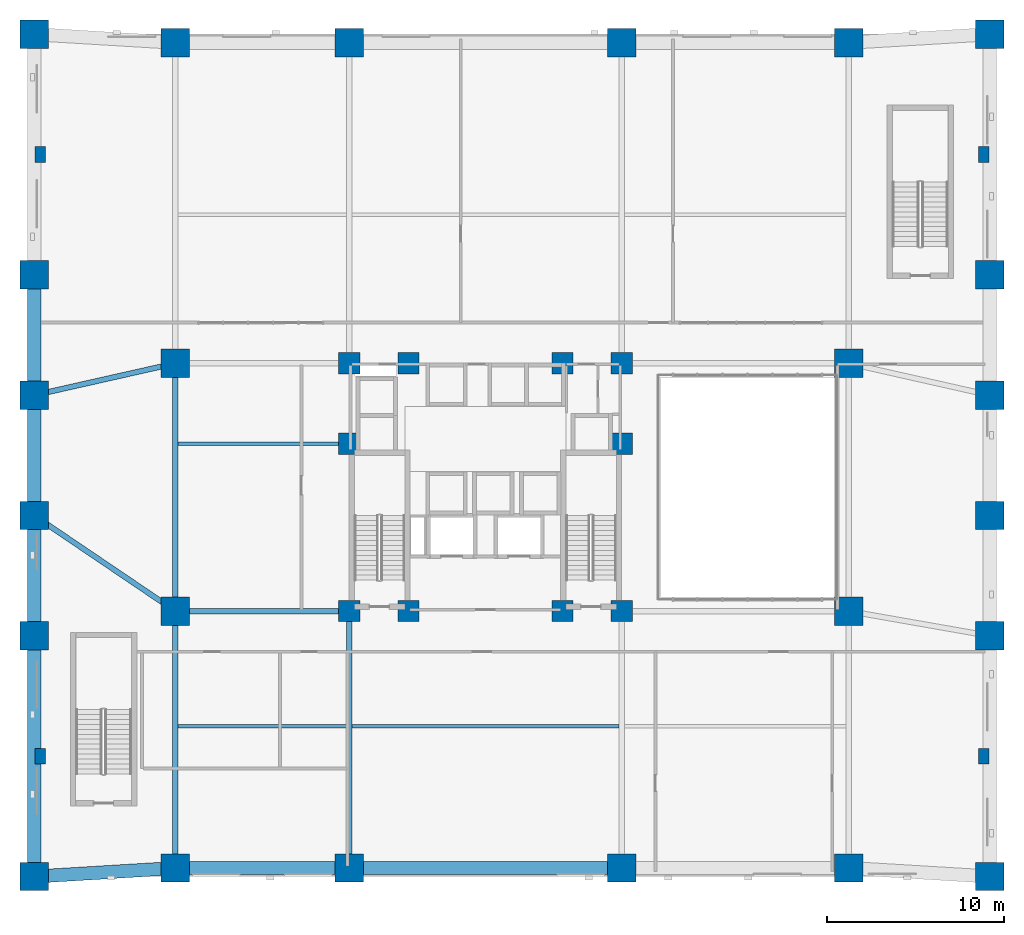
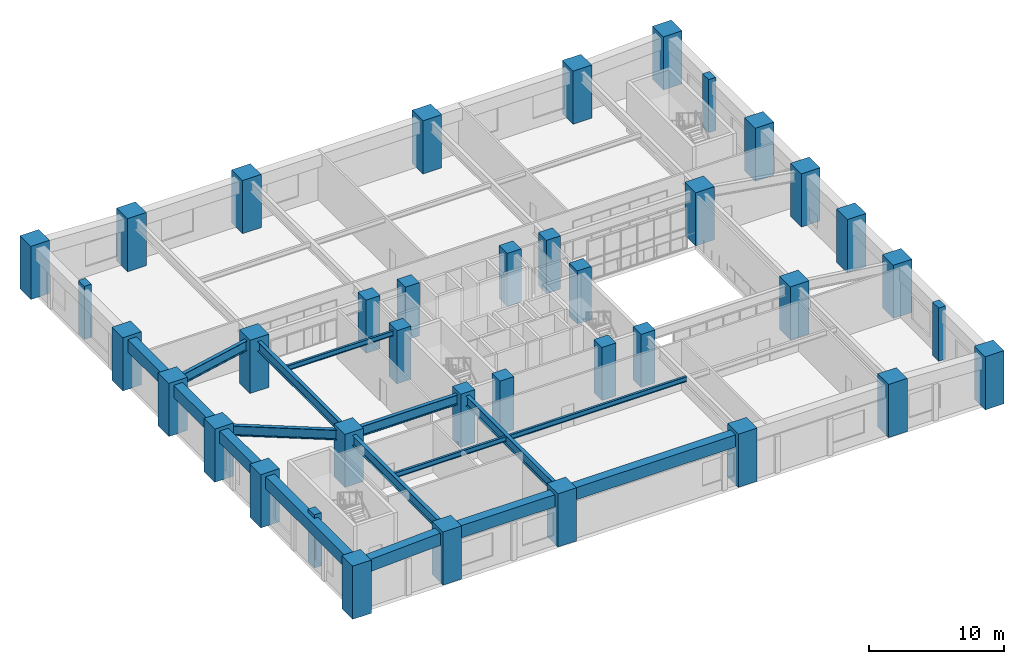
# One storey, part 1 of 13: 38 columns, 16 beams.
"""IFC4 building model written with IfcOpenShell, lengths in metres."""

from ifc_helpers import new_model, si_unit, derived_unit, direction, frame, origin, origin_2d, place, context, subcontext, project, spatial, rectangle, i_section, extrude, material, material_profile, profile_set, type_object, element, save


model = new_model("IFC4")

# Units and contexts
model_context = context("Model", 3, precision=1e-05, world=origin(), true_north=direction((0.0, 1.0)))
body_context = subcontext(model_context, "Body", "Model", "MODEL_VIEW")
ifc_project = project(units=[si_unit("LENGTHUNIT", "METRE"), si_unit("AREAUNIT", "SQUARE_METRE"), si_unit("VOLUMEUNIT", "CUBIC_METRE"), si_unit("PLANEANGLEUNIT", "RADIAN"), si_unit("MASSUNIT", "GRAM", prefix="KILO"), derived_unit("THERMALTRANSMITTANCEUNIT", [(si_unit("MASSUNIT", "GRAM", prefix="KILO"), 1), (si_unit("TIMEUNIT", "SECOND"), -3), (si_unit("THERMODYNAMICTEMPERATUREUNIT", "KELVIN"), -1)])], contexts=[model_context])

# Site, building, storey
site_placement = place(None, origin())
site = spatial("IfcSite", under=ifc_project, at=site_placement, CompositionType="ELEMENT")
building_placement = place(site_placement, origin())
building = spatial("IfcBuilding", under=site, at=building_placement, Name="Korrvale Station Residences", CompositionType="ELEMENT")
storey_placement = place(building_placement, frame((0.0, 0.0, 11.199951171875)))
storey = spatial("IfcBuildingStorey", under=building, at=storey_placement, Name="L02", CompositionType="ELEMENT", Elevation=11.199951171875)

# Columns
ifc_material_1 = material(Name="Concrete C70/85", Category="concrete")
ifc_material_profile_1 = material_profile(ifc_material_1, rectangle(XDim=1.199951171875, YDim=1.199951171875, at=origin_2d()), Name="RC1200x1200")
ifc_profile_set_1 = profile_set([ifc_material_profile_1], Name="Concrete C70/85")
column_type_1 = type_object("IfcColumnType", Name="COL-C-RC1200x1200-C7085", PredefinedType="COLUMN", material=ifc_profile_set_1)
for number, where, z_axis, x_axis, name in (
    (1, (17.800048828125, 15.0, 0.0), (0.0, 0.0, 1.0), (1.0, 0.0, 0.0), "L02 Core Column 25"),
    (2, (21.14990234375, 15.0, 0.0), (0.0, 0.0, 1.0), (1.0, 0.0, 0.0), "L02 Core Column 26"),
    (3, (29.85009765625, 15.0, 0.0), (0.0, 0.0, 1.0), (1.0, 0.0, 0.0), "L02 Core Column 27"),
    (4, (33.199951171875, 15.0, 0.0), (0.0, 0.0, 1.0), (1.0, 0.0, 0.0), "L02 Core Column 28"),
    (5, (17.800048828125, 29.0, 0.0), (0.0, 0.0, 1.0), (1.0, 0.0, 0.0), "L02 Core Column 29"),
    (6, (21.14990234375, 29.0, 0.0), (0.0, 0.0, 1.0), (1.0, 0.0, 0.0), "L02 Core Column 30"),
    (7, (29.85009765625, 29.0, 0.0), (0.0, 0.0, 1.0), (1.0, 0.0, 0.0), "L02 Core Column 31"),
    (8, (33.199951171875, 29.0, 0.0), (0.0, 0.0, 1.0), (1.0, 0.0, 0.0), "L02 Core Column 32"),
    (9, (17.800048828125, 24.449951171875, 0.0), (0.0, 0.0, 1.0), (1.0, 0.0, 0.0), "L02 Core Column 33"),
    (10, (33.199951171875, 24.449951171875, 0.0), (0.0, 0.0, 1.0), (1.0, 0.0, 0.0), "L02 Core Column 34"),
):
    element("IfcColumn", number, at=place(storey_placement, frame(where, z_axis=z_axis, x_axis=x_axis)), inside=storey, type_object=column_type_1, Name=name, PredefinedType="COLUMN", context=body_context, shape_type="SweptSolid", body=[
        extrude(rectangle(XDim=1.199951171875, YDim=1.199951171875, at=origin_2d()), origin(), (0.0, 0.0, 1.0), 4.800048828125),
    ])
ifc_material_profile_2 = material_profile(ifc_material_1, rectangle(XDim=1.60009765625, YDim=1.60009765625, at=origin_2d()), Name="RC1600x1600")
ifc_profile_set_2 = profile_set([ifc_material_profile_2], Name="Concrete C70/85")
column_type_2 = type_object("IfcColumnType", Name="COL-C-RC1600x1600-C7085", PredefinedType="COLUMN", material=ifc_profile_set_2)
for number, where, z_axis, x_axis, name in (
    (11, (0.0, 0.0, 0.0), (0.0, 0.0, 1.0), (1.0, 0.0, 0.0), "L02 Station Mega-Column 01"),
    (12, (0.0, 13.60009765625, 0.0), (0.0, 0.0, 1.0), (1.0, 0.0, 0.0), "L02 Station Mega-Column 02"),
    (13, (0.0, 20.39990234375, 0.0), (0.0, 0.0, 1.0), (1.0, 0.0, 0.0), "L02 Station Mega-Column 03"),
    (14, (0.0, 27.199951171875, 0.0), (0.0, 0.0, 1.0), (1.0, 0.0, 0.0), "L02 Station Mega-Column 04"),
    (15, (0.0, 34.0, 0.0), (0.0, 0.0, 1.0), (1.0, 0.0, 0.0), "L02 Station Mega-Column 05"),
    (16, (0.0, 47.60009765625, 0.0), (0.0, 0.0, 1.0), (1.0, 0.0, 0.0), "L02 Station Mega-Column 06"),
    (17, (54.0, 0.0, 0.0), (0.0, 0.0, 1.0), (1.0, 0.0, 0.0), "L02 Station Mega-Column 07"),
    (18, (54.0, 13.60009765625, 0.0), (0.0, 0.0, 1.0), (1.0, 0.0, 0.0), "L02 Station Mega-Column 08"),
    (19, (54.0, 20.39990234375, 0.0), (0.0, 0.0, 1.0), (1.0, 0.0, 0.0), "L02 Station Mega-Column 09"),
    (20, (54.0, 27.199951171875, 0.0), (0.0, 0.0, 1.0), (1.0, 0.0, 0.0), "L02 Station Mega-Column 10"),
    (21, (54.0, 34.0, 0.0), (0.0, 0.0, 1.0), (1.0, 0.0, 0.0), "L02 Station Mega-Column 11"),
    (22, (54.0, 47.60009765625, 0.0), (0.0, 0.0, 1.0), (1.0, 0.0, 0.0), "L02 Station Mega-Column 12"),
    (23, (7.97998046875, 0.47998046875, 0.0), (0.0, 0.0, 1.0), (1.0, 0.0, 0.0), "L02 Station Mega-Column 13"),
    (24, (7.97998046875, 15.0, 0.0), (0.0, 0.0, 1.0), (1.0, 0.0, 0.0), "L02 Station Mega-Column 14"),
    (25, (7.97998046875, 29.0, 0.0), (0.0, 0.0, 1.0), (1.0, 0.0, 0.0), "L02 Station Mega-Column 15"),
    (26, (7.97998046875, 47.1201171875, 0.0), (0.0, 0.0, 1.0), (1.0, 0.0, 0.0), "L02 Station Mega-Column 16"),
    (27, (46.02001953125, 0.47998046875, 0.0), (0.0, 0.0, 1.0), (1.0, 0.0, 0.0), "L02 Station Mega-Column 17"),
    (28, (46.02001953125, 15.0, 0.0), (0.0, 0.0, 1.0), (1.0, 0.0, 0.0), "L02 Station Mega-Column 18"),
    (29, (46.02001953125, 29.0, 0.0), (0.0, 0.0, 1.0), (1.0, 0.0, 0.0), "L02 Station Mega-Column 19"),
    (30, (46.02001953125, 47.1201171875, 0.0), (0.0, 0.0, 1.0), (1.0, 0.0, 0.0), "L02 Station Mega-Column 20"),
    (31, (17.800048828125, 0.47998046875, 0.0), (0.0, 0.0, 1.0), (1.0, 0.0, 0.0), "L02 Station Mega-Column 21"),
    (32, (17.800048828125, 47.1201171875, 0.0), (0.0, 0.0, 1.0), (1.0, 0.0, 0.0), "L02 Station Mega-Column 22"),
    (33, (33.199951171875, 0.47998046875, 0.0), (0.0, 0.0, 1.0), (1.0, 0.0, 0.0), "L02 Station Mega-Column 23"),
    (34, (33.199951171875, 47.1201171875, 0.0), (0.0, 0.0, 1.0), (1.0, 0.0, 0.0), "L02 Station Mega-Column 24"),
):
    element("IfcColumn", number, at=place(storey_placement, frame(where, z_axis=z_axis, x_axis=x_axis)), inside=storey, type_object=column_type_2, Name=name, PredefinedType="COLUMN", context=body_context, shape_type="SweptSolid", body=[
        extrude(rectangle(XDim=1.60009765625, YDim=1.60009765625, at=origin_2d()), origin(), (0.0, 0.0, 1.0), 4.800048828125),
    ])
ifc_material_profile_3 = material_profile(ifc_material_1, rectangle(XDim=0.60009765625, YDim=0.89990234375, at=origin_2d()), Name="RC600x900")
ifc_profile_set_3 = profile_set([ifc_material_profile_3], Name="Concrete C70/85")
column_type_3 = type_object("IfcColumnType", Name="COL-PIL-RC600x900-C7085", PredefinedType="PILASTER", material=ifc_profile_set_3)
for number, where, z_axis, x_axis, name in (
    (35, (0.35009765625, 6.800048828125, 0.0), (0.0, 0.0, 1.0), (1.0, 0.0, 0.0), "L02 Concourse Portal Wall Pilaster 1"),
    (36, (0.35009765625, 40.800048828125, 0.0), (0.0, 0.0, 1.0), (1.0, 0.0, 0.0), "L02 Concourse Portal Wall Pilaster 2"),
    (37, (53.64990234375, 6.800048828125, 0.0), (0.0, 0.0, 1.0), (1.0, 0.0, 0.0), "L02 Concourse Portal Wall Pilaster 3"),
    (38, (53.64990234375, 40.800048828125, 0.0), (0.0, 0.0, 1.0), (1.0, 0.0, 0.0), "L02 Concourse Portal Wall Pilaster 4"),
):
    element("IfcColumn", number, at=place(storey_placement, frame(where, z_axis=z_axis, x_axis=x_axis)), inside=storey, type_object=column_type_3, Name=name, PredefinedType="PILASTER", context=body_context, shape_type="SweptSolid", body=[
        extrude(rectangle(XDim=0.60009765625, YDim=0.89990234375, at=origin_2d()), origin(), (0.0, 0.0, 1.0), 4.800048828125),
    ])

# Beams
ifc_material_2 = material(Name="Steel S355", Category="steel")
ifc_material_profile_4 = material_profile(ifc_material_2, i_section(OverallWidth=0.300048828125, OverallDepth=0.89990234375, WebThickness=0.01611328125, FlangeThickness=0.030029296875, FilletRadius=0.01611328125, at=origin_2d()), Name="WWF900x262")
ifc_profile_set_4 = profile_set([ifc_material_profile_4], Name="Steel S355")
beam_type_1 = type_object("IfcBeamType", Name="BM-BM-WWF900x262-S355", PredefinedType="BEAM", material=ifc_profile_set_4)
beam_1_placement = place(storey_placement, frame((7.97998046875, 0.47998046875, 4.030029296875), z_axis=(0.0, 1.0, 0.0), x_axis=(-1.0, 0.0, 0.0)))
element("IfcBeam", 39, at=beam_1_placement, inside=storey, type_object=beam_type_1, Name="L02 Station Primary Girder 01", PredefinedType="BEAM", context=body_context, shape_type="SweptSolid", body=[
    extrude(i_section(OverallWidth=0.300048828125, OverallDepth=0.89990234375, WebThickness=0.01611328125, FlangeThickness=0.030029296875, FilletRadius=0.01611328125, at=origin_2d()), origin(), (0.0, 0.0, 1.0), 14.52001953125),
])
beam_2_placement = place(storey_placement, frame((7.97998046875, 15.0, 4.030029296875), z_axis=(0.0, 1.0, 0.0), x_axis=(-1.0, 0.0, 0.0)))
element("IfcBeam", 40, at=beam_2_placement, inside=storey, type_object=beam_type_1, Name="L02 Station Primary Girder 02", PredefinedType="BEAM", context=body_context, shape_type="SweptSolid", body=[
    extrude(i_section(OverallWidth=0.300048828125, OverallDepth=0.89990234375, WebThickness=0.01611328125, FlangeThickness=0.030029296875, FilletRadius=0.01611328125, at=origin_2d()), origin(), (0.0, 0.0, 1.0), 14.0),
])
beam_3_placement = place(storey_placement, frame((7.97998046875, 15.0, 4.030029296875), z_axis=(1.0, 0.0, 0.0), x_axis=(0.0, 1.0, 0.0)))
element("IfcBeam", 41, at=beam_3_placement, inside=storey, type_object=beam_type_1, Name="L02 Station Primary Girder 07", PredefinedType="BEAM", context=body_context, shape_type="SweptSolid", body=[
    extrude(i_section(OverallWidth=0.300048828125, OverallDepth=0.89990234375, WebThickness=0.01611328125, FlangeThickness=0.030029296875, FilletRadius=0.01611328125, at=origin_2d()), origin(), (0.0, 0.0, 1.0), 9.820068359375),
])
beam_4_placement = place(storey_placement, frame((0.0, 20.39990234375, 4.030029296875), z_axis=(0.828202472812, -0.560428999989, 0.0), x_axis=(0.560428999989, 0.828202472812, 0.0)))
element("IfcBeam", 42, at=beam_4_placement, inside=storey, type_object=beam_type_1, Name="L02 Station Primary Girder 11", PredefinedType="BEAM", context=body_context, shape_type="SweptSolid", body=[
    extrude(i_section(OverallWidth=0.300048828125, OverallDepth=0.89990234375, WebThickness=0.01611328125, FlangeThickness=0.030029296875, FilletRadius=0.01611328125, at=origin_2d()), origin(), (0.0, 0.0, 1.0), 9.63525390625),
])
beam_5_placement = place(storey_placement, frame((0.0, 27.199951171875, 4.030029296875), z_axis=(0.975490412643, 0.220041938824, 0.0), x_axis=(-0.220041938824, 0.975490412643, 0.0)))
element("IfcBeam", 43, at=beam_5_placement, inside=storey, type_object=beam_type_1, Name="L02 Station Primary Girder 12", PredefinedType="BEAM", context=body_context, shape_type="SweptSolid", body=[
    extrude(i_section(OverallWidth=0.300048828125, OverallDepth=0.89990234375, WebThickness=0.01611328125, FlangeThickness=0.030029296875, FilletRadius=0.01611328125, at=origin_2d()), origin(), (0.0, 0.0, 1.0), 8.180419921875),
])
beam_6_placement = place(storey_placement, frame((17.800048828125, 0.47998046875, 4.030029296875), z_axis=(0.0, 1.0, 0.0), x_axis=(-1.0, 0.0, 0.0)))
element("IfcBeam", 44, at=beam_6_placement, inside=storey, type_object=beam_type_1, Name="L02 Station Primary Girder 17", PredefinedType="BEAM", context=body_context, shape_type="SweptSolid", body=[
    extrude(i_section(OverallWidth=0.300048828125, OverallDepth=0.89990234375, WebThickness=0.01611328125, FlangeThickness=0.030029296875, FilletRadius=0.01611328125, at=origin_2d()), origin(), (0.0, 0.0, 1.0), 14.52001953125),
])
ifc_material_profile_5 = material_profile(ifc_material_2, i_section(OverallWidth=0.18994140625, OverallDepth=0.45703125, WebThickness=0.009033203125, FlangeThickness=0.014404296875, FilletRadius=0.01611328125, at=origin_2d()), Name="W460x74")
ifc_profile_set_5 = profile_set([ifc_material_profile_5], Name="Steel S355")
beam_type_2 = type_object("IfcBeamType", Name="BM-JST-W460x74-S355", PredefinedType="JOIST", material=ifc_profile_set_5)
for number, where, z_axis, x_axis, name in (
    (45, (8.1298828125, 24.449951171875, 4.25146484375), (1.0, 0.0, 0.0), (0.0, 1.0, 0.0), "L02 Station Floor Joist 04"),
    (46, (8.1298828125, 8.5, 4.25146484375), (1.0, 0.0, 0.0), (0.0, 1.0, 0.0), "L02 Station Floor Joist 05"),
):
    element("IfcBeam", number, at=place(storey_placement, frame(where, z_axis=z_axis, x_axis=x_axis)), inside=storey, type_object=beam_type_2, Name=name, PredefinedType="JOIST", context=body_context, shape_type="SweptSolid", body=[
        extrude(i_section(OverallWidth=0.18994140625, OverallDepth=0.45703125, WebThickness=0.009033203125, FlangeThickness=0.014404296875, FilletRadius=0.01611328125, at=origin_2d()), origin(), (0.0, 0.0, 1.0), 9.52001953125),
    ])
beam_7_placement = place(storey_placement, frame((17.949951171875, 8.5, 4.25146484375), z_axis=(1.0, 0.0, 0.0), x_axis=(0.0, 1.0, 0.0)))
element("IfcBeam", 47, at=beam_7_placement, inside=storey, type_object=beam_type_2, Name="L02 Station Floor Joist 06", PredefinedType="JOIST", context=body_context, shape_type="SweptSolid", body=[
    extrude(i_section(OverallWidth=0.18994140625, OverallDepth=0.45703125, WebThickness=0.009033203125, FlangeThickness=0.014404296875, FilletRadius=0.01611328125, at=origin_2d()), origin(), (0.0, 0.0, 1.0), 15.10009765625),
])
ifc_material_profile_6 = material_profile(ifc_material_1, rectangle(XDim=0.75, YDim=1.10009765625, at=origin_2d()), Name="RCB750x1100")
ifc_profile_set_6 = profile_set([ifc_material_profile_6], Name="Concrete C70/85")
beam_type_3 = type_object("IfcBeamType", Name="BM-SPB-RCB750x1100-C7085", PredefinedType="SPANDREL", material=ifc_profile_set_6)
beam_8_placement = place(storey_placement, frame((0.0, 0.0, 3.929931640625), z_axis=(0.0, 1.0, 0.0), x_axis=(-1.0, 0.0, 0.0)))
element("IfcBeam", 48, at=beam_8_placement, inside=storey, type_object=beam_type_3, Name="L02 Station Spandrel Beam 01", PredefinedType="SPANDREL", context=body_context, shape_type="SweptSolid", body=[
    extrude(rectangle(XDim=0.75, YDim=1.10009765625, at=origin_2d()), origin(), (0.0, 0.0, 1.0), 13.60009765625),
])
beam_9_placement = place(storey_placement, frame((0.0, 13.60009765625, 3.929931640625), z_axis=(0.0, 1.0, 0.0), x_axis=(-1.0, 0.0, 0.0)))
element("IfcBeam", 49, at=beam_9_placement, inside=storey, type_object=beam_type_3, Name="L02 Station Spandrel Beam 02", PredefinedType="SPANDREL", context=body_context, shape_type="SweptSolid", body=[
    extrude(rectangle(XDim=0.75, YDim=1.10009765625, at=origin_2d()), origin(), (0.0, 0.0, 1.0), 6.7998046875),
])
for number, where, z_axis, x_axis, name in (
    (50, (0.0, 20.39990234375, 3.929931640625), (0.0, 1.0, 0.0), (-1.0, 0.0, 0.0), "L02 Station Spandrel Beam 03"),
    (51, (0.0, 27.199951171875, 3.929931640625), (0.0, 1.0, 0.0), (-1.0, 0.0, 0.0), "L02 Station Spandrel Beam 04"),
):
    element("IfcBeam", number, at=place(storey_placement, frame(where, z_axis=z_axis, x_axis=x_axis)), inside=storey, type_object=beam_type_3, Name=name, PredefinedType="SPANDREL", context=body_context, shape_type="SweptSolid", body=[
        extrude(rectangle(XDim=0.75, YDim=1.10009765625, at=origin_2d()), origin(), (0.0, 0.0, 1.0), 6.800048828125),
    ])
beam_10_placement = place(storey_placement, frame((0.0, 0.0, 3.929931640625), z_axis=(0.998195997903, 0.060039568374, 0.0), x_axis=(-0.060039568374, 0.998195997903, 0.0)))
element("IfcBeam", 52, at=beam_10_placement, inside=storey, type_object=beam_type_3, Name="L02 Station Spandrel Beam 11", PredefinedType="SPANDREL", context=body_context, shape_type="SweptSolid", body=[
    extrude(rectangle(XDim=0.75, YDim=1.10009765625, at=origin_2d()), origin(), (0.0, 0.0, 1.0), 7.994384765625),
])
beam_11_placement = place(storey_placement, frame((7.97998046875, 0.47998046875, 3.929931640625), z_axis=(1.0, 0.0, 0.0), x_axis=(0.0, 1.0, 0.0)))
element("IfcBeam", 53, at=beam_11_placement, inside=storey, type_object=beam_type_3, Name="L02 Station Spandrel Beam 12", PredefinedType="SPANDREL", context=body_context, shape_type="SweptSolid", body=[
    extrude(rectangle(XDim=0.75, YDim=1.10009765625, at=origin_2d()), origin(), (0.0, 0.0, 1.0), 9.820068359375),
])
beam_12_placement = place(storey_placement, frame((17.800048828125, 0.47998046875, 3.929931640625), z_axis=(1.0, 0.0, 0.0), x_axis=(0.0, 1.0, 0.0)))
element("IfcBeam", 54, at=beam_12_placement, inside=storey, type_object=beam_type_3, Name="L02 Station Spandrel Beam 13", PredefinedType="SPANDREL", context=body_context, shape_type="SweptSolid", body=[
    extrude(rectangle(XDim=0.75, YDim=1.10009765625, at=origin_2d()), origin(), (0.0, 0.0, 1.0), 15.39990234375),
])

save(model, "model.ifc")
